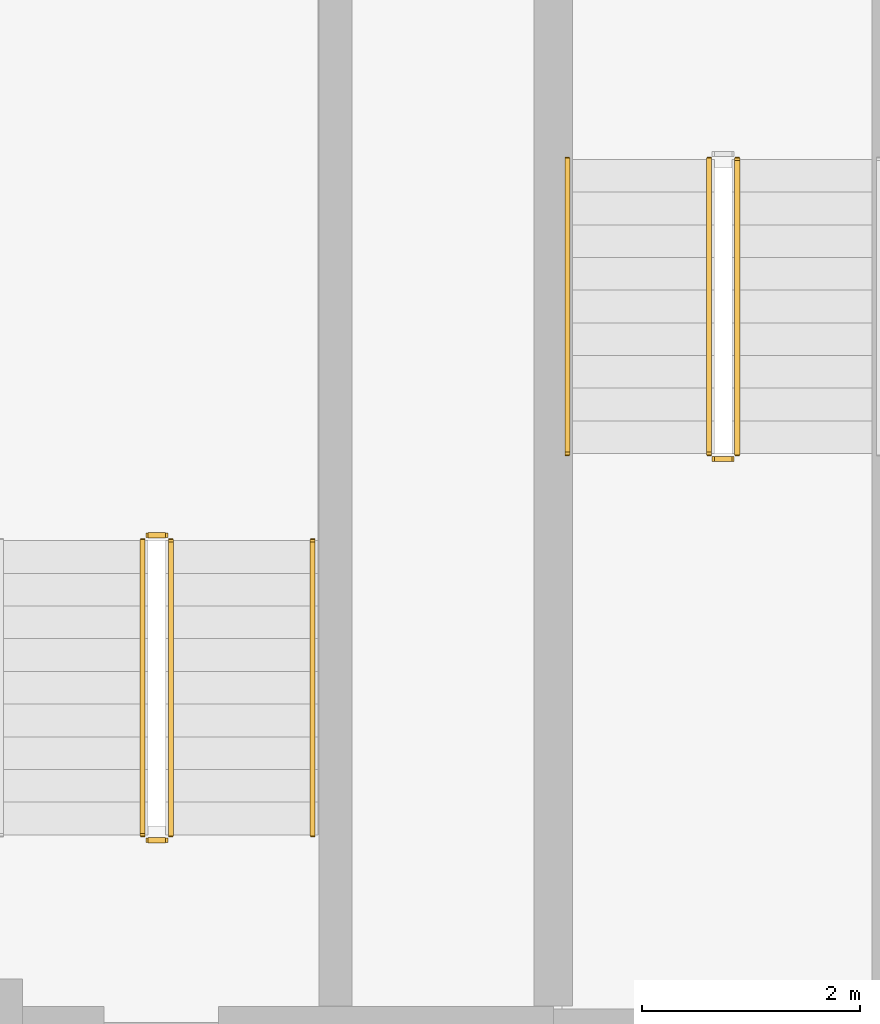
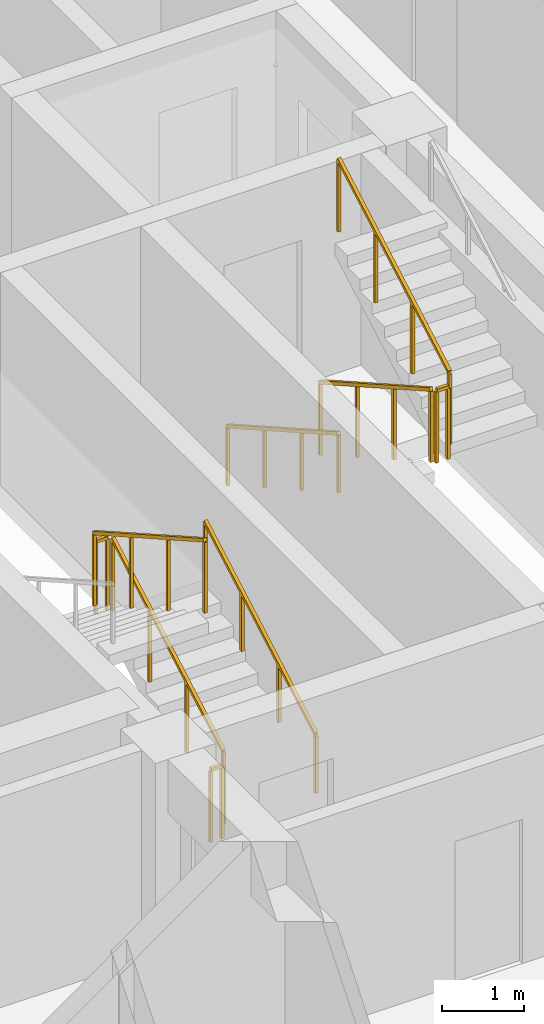
# One storey, part 9 of 14: 9 railings.
"""IFC4 building model written with IfcOpenShell, lengths in metres."""

from ifc_helpers import new_model, si_unit, direction, frame, origin, origin_2d, place, context, subcontext, project, spatial, rectangle, extrude, material, type_object, element, save


model = new_model("IFC4")

# Units and contexts
model_context = context("Model", 3, precision=1e-05, world=origin(), true_north=direction((0.0, 1.0)))
body_context = subcontext(model_context, "Body", "Model", "MODEL_VIEW")
ifc_project = project(units=[si_unit("LENGTHUNIT", "METRE"), si_unit("AREAUNIT", "SQUARE_METRE"), si_unit("VOLUMEUNIT", "CUBIC_METRE"), si_unit("PLANEANGLEUNIT", "RADIAN"), si_unit("MASSUNIT", "GRAM", prefix="KILO")], contexts=[model_context])

# Site, building, storey
site_placement = place(None, origin())
site = spatial("IfcSite", under=ifc_project, at=site_placement, CompositionType="ELEMENT")
building_placement = place(site_placement, origin())
building = spatial("IfcBuilding", under=site, at=building_placement, Name="Zulmaris Gate Convention Tower", CompositionType="ELEMENT")
storey_placement = place(building_placement, frame((0.0, 0.0, 211.85986328125)))
storey = spatial("IfcBuildingStorey", under=building, at=storey_placement, Name="L55", CompositionType="ELEMENT", Elevation=211.85986328125)

# Railings
ifc_material_1 = material(Name="Painted Galvanised Steel", Category="steel")
railing_type_1 = type_object("IfcRailingType", Name="RL-STG-1150", PredefinedType="GUARDRAIL", material=ifc_material_1)
railing_1_placement = place(storey_placement, frame((-13.27001953125, -2.0, 0.169921875)))
element("IfcRailing", 1, at=railing_1_placement, inside=storey, type_object=railing_type_1, Name="L55 ST-1 stair guard 1", PredefinedType="GUARDRAIL", context=body_context, shape_type="SweptSolid", body=[
    extrude(rectangle(XDim=0.048095703125, YDim=0.048095703125, at=origin_2d()), frame((0.0, 0.0, 1.076171875), z_axis=(0.0, -0.869980566543, 0.493086010588), x_axis=(1.0, 0.0, 0.0)), (0.0, 0.0, 1.0), 3.103515625),
    extrude(rectangle(XDim=0.0419921875, YDim=0.0419921875, at=origin_2d()), origin(), (0.0, 0.0, 1.0), 1.052001953125),
    extrude(rectangle(XDim=0.0419921875, YDim=0.0419921875, at=origin_2d()), frame((0.0, -0.89990234375, 0.510009765625)), (0.0, 0.0, 1.0), 1.052001953125),
    extrude(rectangle(XDim=0.0419921875, YDim=0.0419921875, at=origin_2d()), frame((0.0, -1.800048828125, 1.020263671875)), (0.0, 0.0, 1.0), 1.052001953125),
    extrude(rectangle(XDim=0.0419921875, YDim=0.0419921875, at=origin_2d()), frame((0.0, -2.699951171875, 1.5302734375)), (0.0, 0.0, 1.0), 1.052001953125),
])
railing_2_placement = place(storey_placement, frame((-13.219970703125, -4.75, 1.7001953125)))
element("IfcRailing", 2, at=railing_2_placement, inside=storey, type_object=railing_type_1, Name="L55 ST-1 stair guard 2", PredefinedType="GUARDRAIL", context=body_context, shape_type="SweptSolid", body=[
    extrude(rectangle(XDim=0.048095703125, YDim=0.048095703125, at=origin_2d()), frame((0.0, 0.0, 1.076171875), z_axis=(1.0, 0.0, 0.0), x_axis=(0.0, 1.0, 0.0)), (0.0, 0.0, 1.0), 0.159912109375),
    extrude(rectangle(XDim=0.0419921875, YDim=0.0419921875, at=origin_2d()), origin(), (0.0, 0.0, 1.0), 1.052001953125),
    extrude(rectangle(XDim=0.0419921875, YDim=0.0419921875, at=origin_2d()), frame((0.159912109375, 0.0, 0.0)), (0.0, 0.0, 1.0), 1.052001953125),
])
railing_3_placement = place(storey_placement, frame((-13.010009765625, -4.699951171875, 1.8701171875)))
element("IfcRailing", 3, at=railing_3_placement, inside=storey, type_object=railing_type_1, Name="L55 ST-1 stair guard 3", PredefinedType="GUARDRAIL", context=body_context, shape_type="SweptSolid", body=[
    extrude(rectangle(XDim=0.048095703125, YDim=0.048095703125, at=origin_2d()), frame((0.0, 0.0, 1.076171875), z_axis=(0.0, 0.870014312096, 0.49302646658), x_axis=(-1.0, 0.0, 0.0)), (0.0, 0.0, 1.0), 3.103271484375),
    extrude(rectangle(XDim=0.0419921875, YDim=0.0419921875, at=origin_2d()), origin(), (0.0, 0.0, 1.0), 1.052001953125),
    extrude(rectangle(XDim=0.0419921875, YDim=0.0419921875, at=origin_2d()), frame((0.0, 0.89990234375, 0.510009765625)), (0.0, 0.0, 1.0), 1.052001953125),
    extrude(rectangle(XDim=0.0419921875, YDim=0.0419921875, at=origin_2d()), frame((0.0, 1.800048828125, 1.02001953125)), (0.0, 0.0, 1.0), 1.052001953125),
    extrude(rectangle(XDim=0.0419921875, YDim=0.0419921875, at=origin_2d()), frame((0.0, 2.699951171875, 1.530029296875)), (0.0, 0.0, 1.0), 1.052001953125),
])
railing_4_placement = place(storey_placement, frame((-18.2099609375, -8.199951171875, 0.169921875)))
element("IfcRailing", 4, at=railing_4_placement, inside=storey, type_object=railing_type_1, Name="L55 ST-3 stair guard 1", PredefinedType="GUARDRAIL", context=body_context, shape_type="SweptSolid", body=[
    extrude(rectangle(XDim=0.048095703125, YDim=0.048095703125, at=origin_2d()), frame((0.0, 0.0, 1.076171875), z_axis=(0.0, 0.869980566543, 0.493086010588), x_axis=(-1.0, 0.0, 0.0)), (0.0, 0.0, 1.0), 3.103515625),
    extrude(rectangle(XDim=0.0419921875, YDim=0.0419921875, at=origin_2d()), origin(), (0.0, 0.0, 1.0), 1.052001953125),
    extrude(rectangle(XDim=0.0419921875, YDim=0.0419921875, at=origin_2d()), frame((0.0, 0.89990234375, 0.510009765625)), (0.0, 0.0, 1.0), 1.052001953125),
    extrude(rectangle(XDim=0.0419921875, YDim=0.0419921875, at=origin_2d()), frame((0.0, 1.800048828125, 1.020263671875)), (0.0, 0.0, 1.0), 1.052001953125),
    extrude(rectangle(XDim=0.0419921875, YDim=0.0419921875, at=origin_2d()), frame((0.0, 2.699951171875, 1.5302734375)), (0.0, 0.0, 1.0), 1.052001953125),
])
railing_5_placement = place(storey_placement, frame((-18.260009765625, -5.449951171875, 1.7001953125)))
element("IfcRailing", 5, at=railing_5_placement, inside=storey, type_object=railing_type_1, Name="L55 ST-3 stair guard 2", PredefinedType="GUARDRAIL", context=body_context, shape_type="SweptSolid", body=[
    extrude(rectangle(XDim=0.048095703125, YDim=0.048095703125, at=origin_2d()), frame((0.0, 0.0, 1.076171875), z_axis=(-1.0, 0.0, 0.0), x_axis=(0.0, -1.0, 0.0)), (0.0, 0.0, 1.0), 0.159912109375),
    extrude(rectangle(XDim=0.0419921875, YDim=0.0419921875, at=origin_2d()), origin(), (0.0, 0.0, 1.0), 1.052001953125),
    extrude(rectangle(XDim=0.0419921875, YDim=0.0419921875, at=origin_2d()), frame((-0.159912109375, 0.0, 0.0)), (0.0, 0.0, 1.0), 1.052001953125),
])
railing_6_placement = place(storey_placement, frame((-18.469970703125, -5.5, 1.8701171875)))
element("IfcRailing", 6, at=railing_6_placement, inside=storey, type_object=railing_type_1, Name="L55 ST-3 stair guard 3", PredefinedType="GUARDRAIL", context=body_context, shape_type="SweptSolid", body=[
    extrude(rectangle(XDim=0.048095703125, YDim=0.048095703125, at=origin_2d()), frame((0.0, 0.0, 1.076171875), z_axis=(0.0, -0.870014312096, 0.49302646658), x_axis=(1.0, 0.0, 0.0)), (0.0, 0.0, 1.0), 3.103271484375),
    extrude(rectangle(XDim=0.0419921875, YDim=0.0419921875, at=origin_2d()), origin(), (0.0, 0.0, 1.0), 1.052001953125),
    extrude(rectangle(XDim=0.0419921875, YDim=0.0419921875, at=origin_2d()), frame((0.0, -0.89990234375, 0.510009765625)), (0.0, 0.0, 1.0), 1.052001953125),
    extrude(rectangle(XDim=0.0419921875, YDim=0.0419921875, at=origin_2d()), frame((0.0, -1.800048828125, 1.02001953125)), (0.0, 0.0, 1.0), 1.052001953125),
    extrude(rectangle(XDim=0.0419921875, YDim=0.0419921875, at=origin_2d()), frame((0.0, -2.699951171875, 1.530029296875)), (0.0, 0.0, 1.0), 1.052001953125),
])
railing_7_placement = place(storey_placement, frame((-18.260009765625, -8.25, 0.0)))
element("IfcRailing", 7, at=railing_7_placement, inside=storey, type_object=railing_type_1, Name="L55 ST-3 stair guard 4", PredefinedType="GUARDRAIL", context=body_context, shape_type="SweptSolid", body=[
    extrude(rectangle(XDim=0.048095703125, YDim=0.048095703125, at=origin_2d()), frame((0.0, 0.0, 1.076171875), z_axis=(-1.0, 0.0, 0.0), x_axis=(0.0, -1.0, 0.0)), (0.0, 0.0, 1.0), 0.159912109375),
    extrude(rectangle(XDim=0.0419921875, YDim=0.0419921875, at=origin_2d()), origin(), (0.0, 0.0, 1.0), 1.052001953125),
    extrude(rectangle(XDim=0.0419921875, YDim=0.0419921875, at=origin_2d()), frame((-0.159912109375, 0.0, 0.0)), (0.0, 0.0, 1.0), 1.052001953125),
])
ifc_material_2 = material(Name="Brushed Stainless Steel", Category="steel")
railing_type_2 = type_object("IfcRailingType", Name="RL-STH-900", PredefinedType="HANDRAIL", material=ifc_material_2)
railing_8_placement = place(storey_placement, frame((-14.570068359375, -2.0, 0.169921875)))
element("IfcRailing", 8, at=railing_8_placement, inside=storey, type_object=railing_type_2, Name="L55 ST-1 stair handrail 1", PredefinedType="HANDRAIL", context=body_context, shape_type="SweptSolid", body=[
    extrude(rectangle(XDim=0.048095703125, YDim=0.048095703125, at=origin_2d()), frame((0.0, 0.0, 0.8759765625), z_axis=(0.0, -0.869980566543, 0.493086010588), x_axis=(1.0, 0.0, 0.0)), (0.0, 0.0, 1.0), 3.103515625),
    extrude(rectangle(XDim=0.0419921875, YDim=0.0419921875, at=origin_2d()), origin(), (0.0, 0.0, 1.0), 0.851806640625),
    extrude(rectangle(XDim=0.0419921875, YDim=0.0419921875, at=origin_2d()), frame((0.0, -0.89990234375, 0.510009765625)), (0.0, 0.0, 1.0), 0.851806640625),
    extrude(rectangle(XDim=0.0419921875, YDim=0.0419921875, at=origin_2d()), frame((0.0, -1.800048828125, 1.020263671875)), (0.0, 0.0, 1.0), 0.851806640625),
    extrude(rectangle(XDim=0.0419921875, YDim=0.0419921875, at=origin_2d()), frame((0.0, -2.699951171875, 1.5302734375)), (0.0, 0.0, 1.0), 0.851806640625),
])
railing_9_placement = place(storey_placement, frame((-16.909912109375, -8.199951171875, 0.169921875)))
element("IfcRailing", 9, at=railing_9_placement, inside=storey, type_object=railing_type_2, Name="L55 ST-3 stair handrail 1", PredefinedType="HANDRAIL", context=body_context, shape_type="SweptSolid", body=[
    extrude(rectangle(XDim=0.048095703125, YDim=0.048095703125, at=origin_2d()), frame((0.0, 0.0, 0.8759765625), z_axis=(0.0, 0.869980566543, 0.493086010588), x_axis=(-1.0, 0.0, 0.0)), (0.0, 0.0, 1.0), 3.103515625),
    extrude(rectangle(XDim=0.0419921875, YDim=0.0419921875, at=origin_2d()), origin(), (0.0, 0.0, 1.0), 0.851806640625),
    extrude(rectangle(XDim=0.0419921875, YDim=0.0419921875, at=origin_2d()), frame((0.0, 0.89990234375, 0.510009765625)), (0.0, 0.0, 1.0), 0.851806640625),
    extrude(rectangle(XDim=0.0419921875, YDim=0.0419921875, at=origin_2d()), frame((0.0, 1.800048828125, 1.020263671875)), (0.0, 0.0, 1.0), 0.851806640625),
    extrude(rectangle(XDim=0.0419921875, YDim=0.0419921875, at=origin_2d()), frame((0.0, 2.699951171875, 1.5302734375)), (0.0, 0.0, 1.0), 0.851806640625),
])

save(model, "model.ifc")
